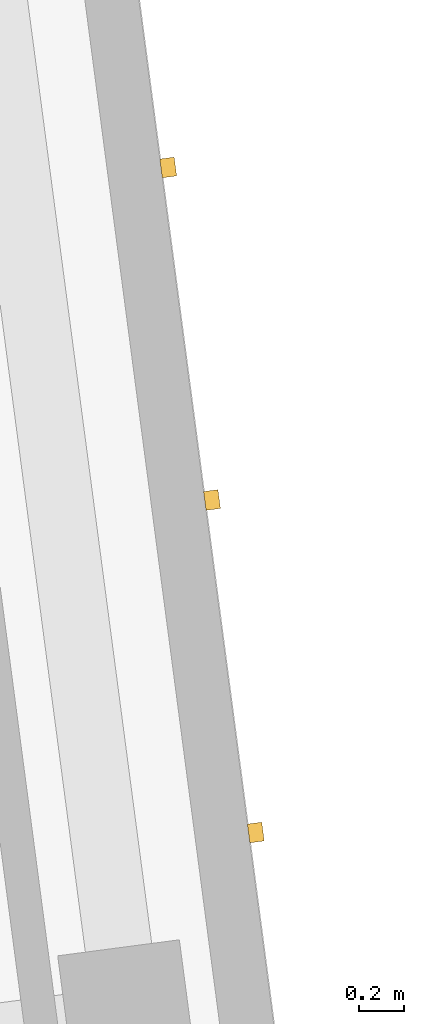
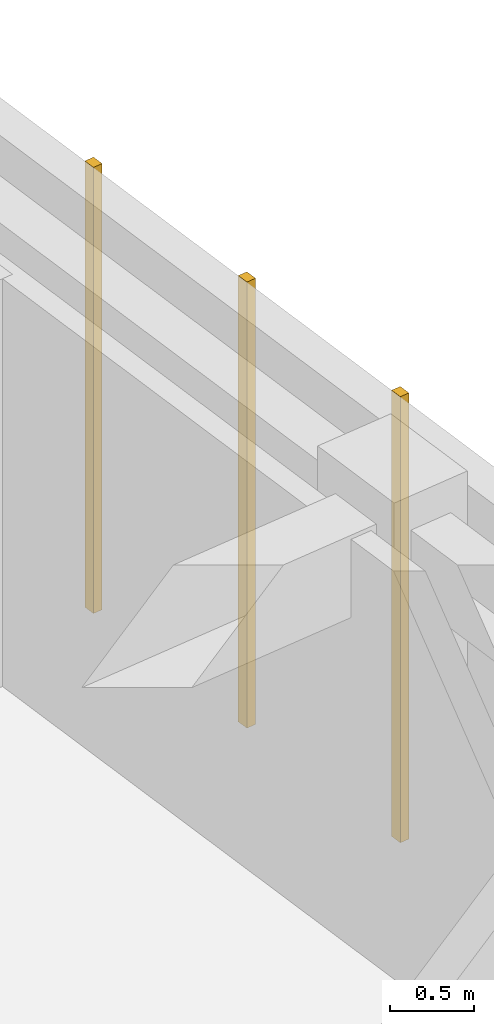
# One storey, part 110 of 127: 3 coverings.
"""IFC4 building model written with IfcOpenShell, lengths in metres."""

from ifc_helpers import new_model, si_unit, direction, frame, origin, origin_2d, place, context, subcontext, project, spatial, rectangle, extrude, material, layer, layer_set, type_object, element, save


model = new_model("IFC4")

# Units and contexts
model_context = context("Model", 3, precision=1e-05, world=origin(), true_north=direction((0.0, 1.0)))
body_context = subcontext(model_context, "Body", "Model", "MODEL_VIEW")
ifc_project = project(units=[si_unit("LENGTHUNIT", "METRE"), si_unit("AREAUNIT", "SQUARE_METRE"), si_unit("VOLUMEUNIT", "CUBIC_METRE"), si_unit("PLANEANGLEUNIT", "RADIAN"), si_unit("MASSUNIT", "GRAM", prefix="KILO")], contexts=[model_context])

# Site, building, storey
site_placement = place(None, origin())
site = spatial("IfcSite", under=ifc_project, at=site_placement, CompositionType="ELEMENT")
building_placement = place(site_placement, origin())
building = spatial("IfcBuilding", under=site, at=building_placement, Name="Kestramere Prow Commons", CompositionType="ELEMENT")
storey_placement = place(building_placement, frame((0.0, 0.0, 8.39990234375)))
storey = spatial("IfcBuildingStorey", under=building, at=storey_placement, Name="L02", CompositionType="ELEMENT", Elevation=8.39990234375)

# Coverings
ifc_material = material(Name="Weathered Zinc-Titanium Standing-Seam Cladding")
ifc_layer = layer(ifc_material, 0.074951171875)
ifc_layer_set = layer_set([ifc_layer], Name="Weathered Zinc-Titanium Standing-Seam Cladding")
covering_type = type_object("IfcCoveringType", Name="COV-CLAD-SEAM", PredefinedType="CLADDING", material=ifc_layer_set)
for number, where, z_axis, x_axis, name in (
    (1, (62.129638671875, 94.857421875, -0.25), (0.0, 0.0, 1.0), (0.13052619222, -0.991444861374, 0.0), "EW-A-L02-EAV Standing-Seam Rib 3"),
    (2, (62.325927734375, 93.36669921875, -0.25), (0.0, 0.0, 1.0), (0.13052619222, -0.991444861374, 0.0), "EW-A-L02-EAV Standing-Seam Rib 4"),
    (3, (62.522216796875, 91.8759765625, -0.25), (0.0, 0.0, 1.0), (0.13052619222, -0.991444861374, 0.0), "EW-A-L02-EAV Standing-Seam Rib 5"),
):
    element("IfcCovering", number, at=place(storey_placement, frame(where, z_axis=z_axis, x_axis=x_axis)), inside=storey, type_object=covering_type, Name=name, PredefinedType="CLADDING", context=body_context, shape_type="SweptSolid", body=[
        extrude(rectangle(XDim=0.0849609375, YDim=0.06494140625, at=origin_2d()), origin(), (0.0, 0.0, 1.0), 3.25),
    ])

save(model, "model.ifc")
